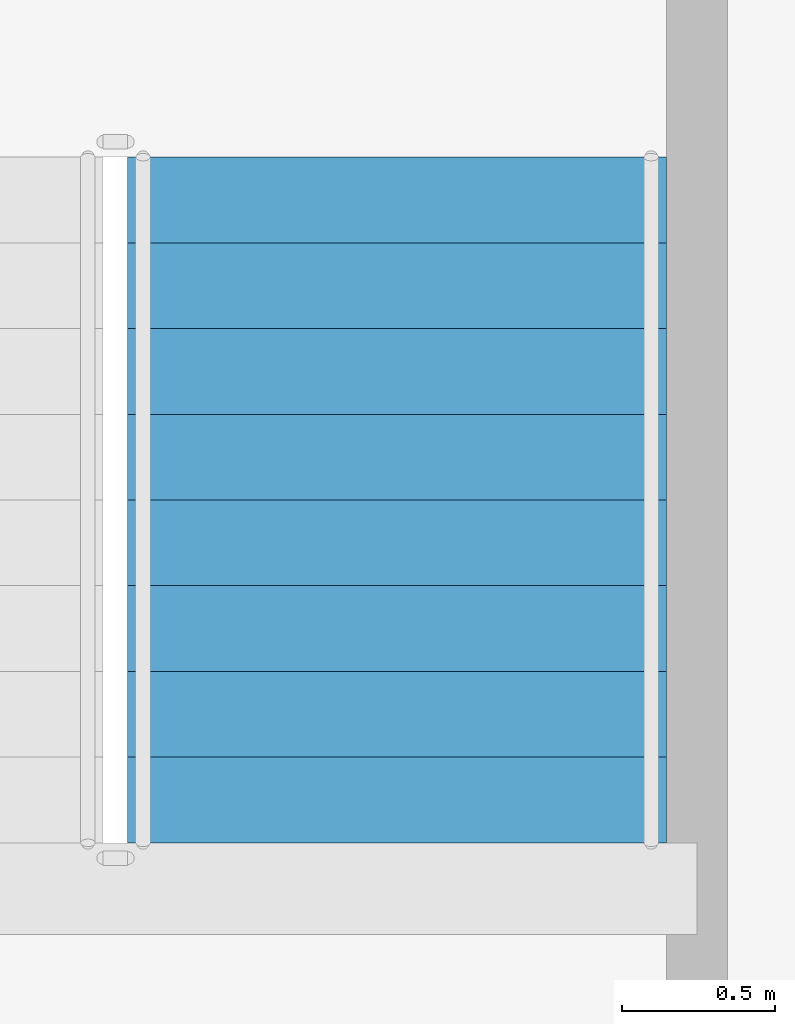
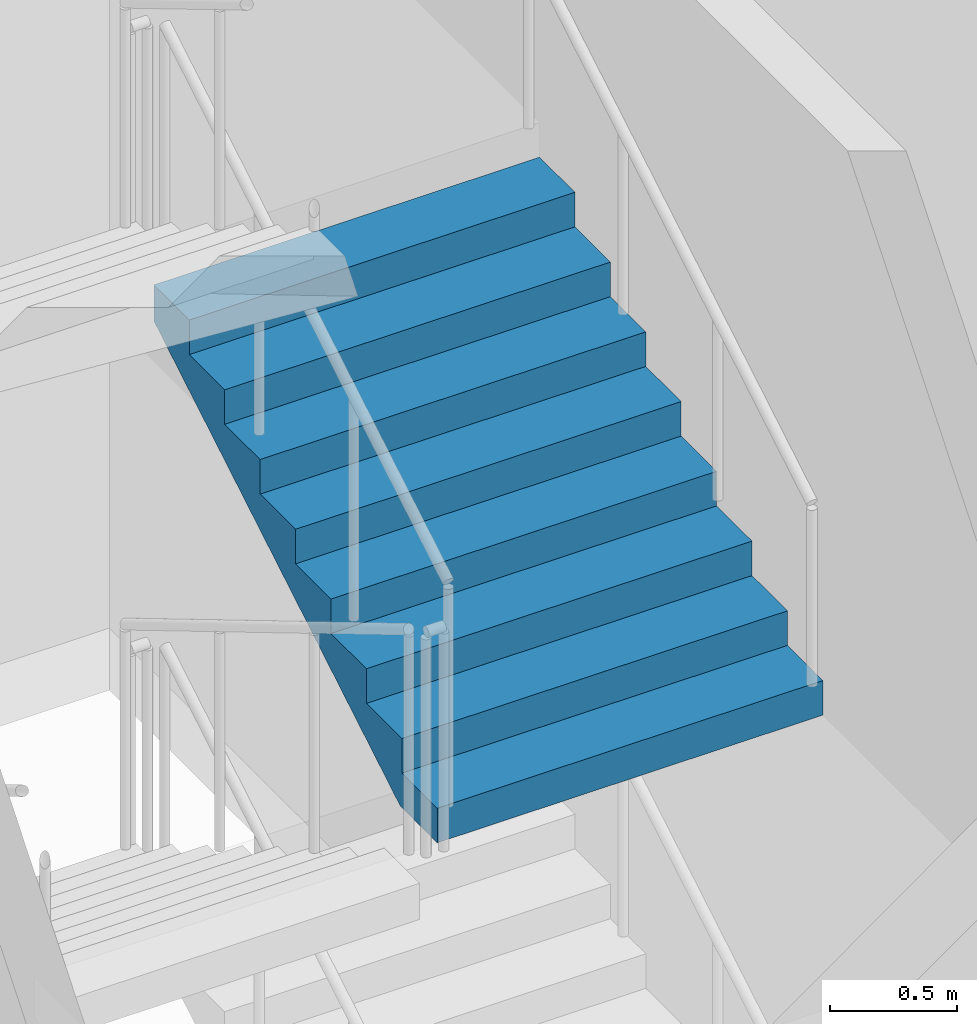
# One storey, part 30 of 36: 1 stair flight, 1 element without a shape of its own.
"""IFC4 building model written with IfcOpenShell, lengths in metres."""

import ifcopenshell
import ifcopenshell.guid

model = None  # the IFC model being written
_history = None  # IfcOwnerHistory: only IFC2X3 demands one
_inside = {}  # id of a spatial element -> (the spatial element, [elements in it])
_under = {}  # id of a project, library or spatial element -> (it, [spatial elements below it])
_declared = {}  # id of a project -> (the project, [libraries it declares])
_typed = {}  # id of a type object -> (the type object, [elements of that type])
_made_of = {}  # id of a material, layer set ... -> (it, [elements and type objects made of it])


def new_model(schema):
    """Start an empty IFC model of exactly this schema.

    Asked for "IFC4X3", IfcOpenShell would pick the latest addendum, in which some entities
    have other attributes; the version numbers below select the first issue.
    IFC2X3 requires an IfcOwnerHistory on every rooted entity: one is made here for all.
    """
    global model, _history
    if schema == "IFC4X3":
        model = ifcopenshell.file(schema_version=(4, 3, 0, 0))
    else:
        model = ifcopenshell.file(schema=schema)
    _inside.clear()
    _under.clear()
    _declared.clear()
    _typed.clear()
    _made_of.clear()
    _history = None
    if model.schema == "IFC2X3":
        org = make("IfcOrganization", Name="unknown")
        user = make(
            "IfcPersonAndOrganization",
            ThePerson=make("IfcPerson", FamilyName="unknown"),
            TheOrganization=org,
        )
        app = make(
            "IfcApplication",
            ApplicationDeveloper=org,
            Version="unknown",
            ApplicationFullName="unknown",
            ApplicationIdentifier="unknown",
        )
        _history = make(
            "IfcOwnerHistory",
            OwningUser=user,
            OwningApplication=app,
            ChangeAction="ADDED",
            CreationDate=0,
        )
    return model


def make(cls, **values):
    """One entity of the class cls with the attributes given. An attribute that is None is left unset."""
    return model.create_entity(
        cls, **{name: value for name, value in values.items() if value is not None}
    )


def rooted(cls, **values):
    """An entity with a GlobalId (a new one), such as an element, a storey or a relation."""
    return make(cls, GlobalId=ifcopenshell.guid.new(), OwnerHistory=_history, **values)


def si_unit(unit_type, name, prefix=None):
    """IfcSIUnit, for example si_unit("LENGTHUNIT", "METRE", prefix="MILLI")."""
    return make("IfcSIUnit", UnitType=unit_type, Prefix=prefix, Name=name)


def assignment(units):
    """IfcUnitAssignment: the units of a project."""
    return None if units is None else make("IfcUnitAssignment", Units=units)


def point(xyz):
    """IfcCartesianPoint."""
    return None if xyz is None else make("IfcCartesianPoint", Coordinates=xyz)


def direction(xyz):
    """IfcDirection."""
    return None if xyz is None else make("IfcDirection", DirectionRatios=xyz)


def frame(location, z_axis=None, x_axis=None):
    """IfcAxis2Placement3D, a coordinate frame: its origin and axes. An axis left out is left unset."""
    return make(
        "IfcAxis2Placement3D",
        Location=point(location),
        Axis=direction(z_axis),
        RefDirection=direction(x_axis),
    )


def origin():
    """The frame at (0, 0, 0) with its axes left unset."""
    return frame((0.0, 0.0, 0.0))


def place(relative_to, where):
    """IfcLocalPlacement: puts the frame where relative to a parent placement (None: the world)."""
    return make(
        "IfcLocalPlacement", PlacementRelTo=relative_to, RelativePlacement=where
    )


def context(
    kind, dimensions, precision=None, world=None, true_north=None, identifier=None
):
    """IfcGeometricRepresentationContext, for example the 3D "Model" context."""
    return make(
        "IfcGeometricRepresentationContext",
        ContextIdentifier=identifier,
        ContextType=kind,
        CoordinateSpaceDimension=dimensions,
        Precision=precision,
        WorldCoordinateSystem=world,
        TrueNorth=true_north,
    )


def subcontext(parent, identifier, kind, view, scale=None):
    """IfcGeometricRepresentationSubContext, for example "Body" below "Model"."""
    return make(
        "IfcGeometricRepresentationSubContext",
        ContextIdentifier=identifier,
        ContextType=kind,
        ParentContext=parent,
        TargetScale=scale,
        TargetView=view,
    )


def project(units=None, contexts=None):
    """IfcProject with its units and contexts."""
    return rooted(
        "IfcProject",
        Name="project",
        RepresentationContexts=contexts,
        UnitsInContext=assignment(units),
    )


def spatial(cls, under=None, at=None, **own):
    """A site, building, storey or space (cls), placed at a placement, below another one or the project."""
    s = rooted(cls, ObjectPlacement=at, **own)
    if under is not None:
        _under.setdefault(under.id(), (under, []))[1].append(s)
    return s


def faces_of(points, faces, orient=None, outer=None):
    """IfcFace entities. A face is a list of loops; a loop is a list of indices into points, from 0.

    orient and outer hold one flag for each loop. By default every Orientation is true, the
    first loop of a face is its IfcFaceOuterBound and the others are IfcFaceBound.
    """
    made = []
    for i, loops in enumerate(faces):
        bounds = []
        for j, loop in enumerate(loops):
            is_outer = j == 0 if outer is None else outer[i][j]
            bounds.append(
                make(
                    "IfcFaceOuterBound" if is_outer else "IfcFaceBound",
                    Bound=make("IfcPolyLoop", Polygon=[points[k] for k in loop]),
                    Orientation=True if orient is None else orient[i][j],
                )
            )
        made.append(make("IfcFace", Bounds=bounds))
    return made


def faceted_brep(points, faces, orient=None, outer=None, voids=None):
    """IfcFacetedBrep: a solid bounded by flat faces; with voids (closed shells), ...WithVoids."""
    shared = [point(p) for p in points]
    hull = make("IfcClosedShell", CfsFaces=faces_of(shared, faces, orient, outer))
    if voids is None:
        return make("IfcFacetedBrep", Outer=hull)
    return make(
        "IfcFacetedBrepWithVoids",
        Outer=hull,
        Voids=[
            make(cls, CfsFaces=faces_of(shared, fs, o, b)) for cls, fs, o, b in voids
        ],
    )


def shape(context_of_items, identifier, shape_type, items):
    """IfcShapeRepresentation: the items that make up one representation, for example the "Body"."""
    return make(
        "IfcShapeRepresentation",
        ContextOfItems=context_of_items,
        RepresentationIdentifier=identifier,
        RepresentationType=shape_type,
        Items=items,
    )


def material(Name=None, Category=None):
    """IfcMaterial."""
    return make("IfcMaterial", Name=Name, Category=Category)


def made_of(thing, what):
    """Note that an element or type object is made of a material, layer set ...; save() writes the relation."""
    if what is not None:
        _made_of.setdefault(what.id(), (what, []))[1].append(thing)
    return thing


def type_object(cls, material=None, **own):
    """A type object (cls), such as IfcWallType, which elements share."""
    return made_of(rooted(cls, **own), material)


def element(
    cls,
    number,
    at=None,
    inside=None,
    cuts=None,
    type_object=None,
    material=None,
    context=None,
    identifier="Body",
    shape_type=None,
    held_by="IfcProductDefinitionShape",
    body=None,
    shapes=None,
    **own,
):
    """One element of the class cls, such as IfcWall. Its Tag is "e" and its number.

    at: its placement. inside: the storey or other place that contains it. cuts: it is an
    opening in that element (IfcRelVoidsElement). A single representation is given by context,
    identifier, shape_type and body (its items); several are given by shapes. held_by: the class
    of the entity that holds the representations. save() writes the other relations.
    """
    e = rooted(cls, Tag="e%d" % number, ObjectPlacement=at, **own)
    if body is not None:
        shapes = [shape(context, identifier, shape_type, body)]
    if shapes is not None:
        e.Representation = make(held_by, Representations=shapes)
    if inside is not None:
        _inside.setdefault(inside.id(), (inside, []))[1].append(e)
    if cuts is not None:
        rooted(
            "IfcRelVoidsElement", RelatingBuildingElement=cuts, RelatedOpeningElement=e
        )
    if type_object is not None:
        _typed.setdefault(type_object.id(), (type_object, []))[1].append(e)
    return made_of(e, material)


def aggregate(whole, parts):
    """IfcRelAggregates: a whole, such as a stair, and the parts it consists of."""
    return rooted("IfcRelAggregates", RelatingObject=whole, RelatedObjects=parts)


def save(model, path):
    """Write the relations noted so far, then the file.

    IfcRelAggregates (storeys below a building ...), IfcRelContainedInSpatialStructure (elements
    in a storey), IfcRelDefinesByType, IfcRelAssociatesMaterial and IfcRelDeclares: one each for
    every whole, place, type object, material and project.
    """
    for whole, parts in _under.values():
        aggregate(whole, parts)
    for where, things in _inside.values():
        rooted(
            "IfcRelContainedInSpatialStructure",
            RelatedElements=things,
            RelatingStructure=where,
        )
    for kind, things in _typed.values():
        rooted("IfcRelDefinesByType", RelatedObjects=things, RelatingType=kind)
    for what, things in _made_of.values():
        rooted("IfcRelAssociatesMaterial", RelatedObjects=things, RelatingMaterial=what)
    for by, libraries in _declared.values():
        rooted("IfcRelDeclares", RelatingContext=by, RelatedDefinitions=libraries)
    model.write(path)


model = new_model("IFC4")

# Units and contexts
model_context = context("Model", 3, precision=1e-05, world=origin(), true_north=direction((0.0, 1.0)))
body_context = subcontext(model_context, "Body", "Model", "MODEL_VIEW")
ifc_project = project(units=[si_unit("LENGTHUNIT", "METRE"), si_unit("AREAUNIT", "SQUARE_METRE"), si_unit("VOLUMEUNIT", "CUBIC_METRE"), si_unit("PLANEANGLEUNIT", "RADIAN"), si_unit("MASSUNIT", "GRAM", prefix="KILO")], contexts=[model_context])

# Site, building, storey
site_placement = place(None, origin())
site = spatial("IfcSite", under=ifc_project, at=site_placement, CompositionType="ELEMENT")
building_placement = place(site_placement, origin())
building = spatial("IfcBuilding", under=site, at=building_placement, Name="Tarsis Ring Headquarters", CompositionType="ELEMENT")
storey_placement = place(building_placement, frame((0.0, 0.0, 194.39990234375)))
storey = spatial("IfcBuildingStorey", under=building, at=storey_placement, Name="L45", CompositionType="ELEMENT", Elevation=194.39990234375)

# Stair, stair flight
ifc_material_1 = material(Name="Core stair 1760")
stair_type = type_object("IfcStairType", Name="Core stair 1760", PredefinedType="HALF_TURN_STAIR", material=ifc_material_1)
stair_placement = place(storey_placement, origin())
stair = element("IfcStair", 1, at=stair_placement, inside=storey, type_object=stair_type, Name="L45 Exit stair B", PredefinedType="HALF_TURN_STAIR")
ifc_material_2 = material(Name="Concrete C40/50", Category="concrete")
stair_flight_type = type_object("IfcStairFlightType", Name="Core stair flight 1760", PredefinedType="STRAIGHT", material=ifc_material_2)
stair_flight_placement = place(storey_placement, frame((5.419921875, 3.659912109375, 3.0), z_axis=(0.0, 0.0, 1.0), x_axis=(0.0, 1.0, 0.0)))
stair_flight = element("IfcStairFlight", 2, at=stair_flight_placement, type_object=stair_flight_type, Name="Stair ST2 flight 3", NumberOfRisers=9, NumberOfTreads=8, PredefinedType="STRAIGHT", RiserHeight=0.166666667, TreadLength=0.28, context=body_context, shape_type="Brep", body=[
    faceted_brep([(0.0, 0.8798828125, 0.0), (0.0, 0.8798828125, 0.166748046875), (0.280029296875, 0.8798828125, 0.166748046875), (0.280029296875, 0.8798828125, 0.333251953125), (0.56005859375, 0.8798828125, 0.333251953125), (0.56005859375, 0.8798828125, 0.5), (0.840087890625, 0.8798828125, 0.5), (0.840087890625, 0.8798828125, 0.666748046875), (1.1201171875, 0.8798828125, 0.666748046875), (1.1201171875, 0.8798828125, 0.833251953125), (1.39990234375, 0.8798828125, 0.833251953125), (1.39990234375, 0.8798828125, 1.0), (1.679931640625, 0.8798828125, 1.0), (1.679931640625, 0.8798828125, 1.166748046875), (1.9599609375, 0.8798828125, 1.166748046875), (1.9599609375, 0.8798828125, 1.333251953125), (2.239990234375, 0.8798828125, 1.333251953125), (2.239990234375, 0.8798828125, 1.158935546875), (0.29296875, 0.8798828125, 0.0), (0.29296875, -0.8798828125, 0.0), (2.239990234375, -0.8798828125, 1.158935546875), (2.239990234375, -0.8798828125, 1.333251953125), (1.9599609375, -0.8798828125, 1.333251953125), (1.9599609375, -0.8798828125, 1.166748046875), (1.679931640625, -0.8798828125, 1.166748046875), (1.679931640625, -0.8798828125, 1.0), (1.39990234375, -0.8798828125, 1.0), (1.39990234375, -0.8798828125, 0.833251953125), (1.1201171875, -0.8798828125, 0.833251953125), (1.1201171875, -0.8798828125, 0.666748046875), (0.840087890625, -0.8798828125, 0.666748046875), (0.840087890625, -0.8798828125, 0.5), (0.56005859375, -0.8798828125, 0.5), (0.56005859375, -0.8798828125, 0.333251953125), (0.280029296875, -0.8798828125, 0.333251953125), (0.280029296875, -0.8798828125, 0.166748046875), (0.0, -0.8798828125, 0.166748046875), (0.0, -0.8798828125, 0.0), (0.0, -0.43994140625, 0.166748046875), (0.0, -0.43994140625, 0.0), (0.0, 0.0, 0.166748046875), (0.0, 0.0, 0.0), (0.0, 0.43994140625, 0.166748046875), (0.0, 0.43994140625, 0.0), (0.280029296875, -0.43994140625, 0.166748046875), (0.280029296875, 0.0, 0.166748046875), (0.280029296875, 0.43994140625, 0.166748046875), (0.280029296875, -0.43994140625, 0.333251953125), (0.280029296875, 0.0, 0.333251953125), (0.280029296875, 0.43994140625, 0.333251953125), (0.56005859375, -0.43994140625, 0.333251953125), (0.56005859375, 0.0, 0.333251953125), (0.56005859375, 0.43994140625, 0.333251953125), (0.56005859375, -0.43994140625, 0.5), (0.56005859375, 0.0, 0.5), (0.56005859375, 0.43994140625, 0.5), (0.840087890625, -0.43994140625, 0.5), (0.840087890625, 0.0, 0.5), (0.840087890625, 0.43994140625, 0.5), (0.840087890625, -0.43994140625, 0.666748046875), (0.840087890625, 0.0, 0.666748046875), (0.840087890625, 0.43994140625, 0.666748046875), (1.1201171875, -0.43994140625, 0.666748046875), (1.1201171875, 0.0, 0.666748046875), (1.1201171875, 0.43994140625, 0.666748046875), (1.1201171875, -0.43994140625, 0.833251953125), (1.1201171875, 0.0, 0.833251953125), (1.1201171875, 0.43994140625, 0.833251953125), (1.39990234375, -0.43994140625, 0.833251953125), (1.39990234375, 0.0, 0.833251953125), (1.39990234375, 0.43994140625, 0.833251953125), (1.39990234375, -0.43994140625, 1.0), (1.39990234375, 0.0, 1.0), (1.39990234375, 0.43994140625, 1.0), (1.679931640625, -0.43994140625, 1.0), (1.679931640625, 0.0, 1.0), (1.679931640625, 0.43994140625, 1.0), (1.679931640625, -0.43994140625, 1.166748046875), (1.679931640625, 0.0, 1.166748046875), (1.679931640625, 0.43994140625, 1.166748046875), (1.9599609375, -0.43994140625, 1.166748046875), (1.9599609375, 0.0, 1.166748046875), (1.9599609375, 0.43994140625, 1.166748046875), (1.9599609375, -0.43994140625, 1.333251953125), (1.9599609375, 0.0, 1.333251953125), (1.9599609375, 0.43994140625, 1.333251953125), (2.239990234375, -0.43994140625, 1.333251953125), (2.239990234375, 0.0, 1.333251953125), (2.239990234375, 0.43994140625, 1.333251953125), (2.239990234375, -0.43994140625, 1.158935546875), (2.239990234375, 0.0, 1.158935546875), (2.239990234375, 0.43994140625, 1.158935546875), (0.29296875, -0.43994140625, 0.0), (0.29296875, 0.0, 0.0), (0.29296875, 0.43994140625, 0.0)], [[[0, 1, 2, 3, 4, 5, 6, 7, 8, 9, 10, 11, 12, 13, 14, 15, 16, 17, 18]], [[19, 20, 21, 22, 23, 24, 25, 26, 27, 28, 29, 30, 31, 32, 33, 34, 35, 36, 37]], [[37, 36, 38, 39]], [[39, 38, 40, 41]], [[41, 40, 42, 43]], [[43, 42, 1, 0]], [[36, 35, 44, 38]], [[38, 44, 45, 40]], [[40, 45, 46, 42]], [[42, 46, 2, 1]], [[35, 34, 47, 44]], [[44, 47, 48, 45]], [[45, 48, 49, 46]], [[46, 49, 3, 2]], [[34, 33, 50, 47]], [[47, 50, 51, 48]], [[48, 51, 52, 49]], [[49, 52, 4, 3]], [[33, 32, 53, 50]], [[50, 53, 54, 51]], [[51, 54, 55, 52]], [[52, 55, 5, 4]], [[32, 31, 56, 53]], [[53, 56, 57, 54]], [[54, 57, 58, 55]], [[55, 58, 6, 5]], [[31, 30, 59, 56]], [[56, 59, 60, 57]], [[57, 60, 61, 58]], [[58, 61, 7, 6]], [[30, 29, 62, 59]], [[59, 62, 63, 60]], [[60, 63, 64, 61]], [[61, 64, 8, 7]], [[29, 28, 65, 62]], [[62, 65, 66, 63]], [[63, 66, 67, 64]], [[64, 67, 9, 8]], [[28, 27, 68, 65]], [[65, 68, 69, 66]], [[66, 69, 70, 67]], [[67, 70, 10, 9]], [[27, 26, 71, 68]], [[68, 71, 72, 69]], [[69, 72, 73, 70]], [[70, 73, 11, 10]], [[26, 25, 74, 71]], [[71, 74, 75, 72]], [[72, 75, 76, 73]], [[73, 76, 12, 11]], [[25, 24, 77, 74]], [[74, 77, 78, 75]], [[75, 78, 79, 76]], [[76, 79, 13, 12]], [[24, 23, 80, 77]], [[77, 80, 81, 78]], [[78, 81, 82, 79]], [[79, 82, 14, 13]], [[23, 22, 83, 80]], [[80, 83, 84, 81]], [[81, 84, 85, 82]], [[82, 85, 15, 14]], [[22, 21, 86, 83]], [[83, 86, 87, 84]], [[84, 87, 88, 85]], [[85, 88, 16, 15]], [[21, 20, 89, 86]], [[86, 89, 90, 87]], [[87, 90, 91, 88]], [[88, 91, 17, 16]], [[20, 19, 92, 89]], [[89, 92, 93, 90]], [[90, 93, 94, 91]], [[91, 94, 18, 17]], [[19, 37, 39, 92]], [[92, 39, 41, 93]], [[93, 41, 43, 94]], [[94, 43, 0, 18]]]),
])
aggregate(stair, [stair_flight])

save(model, "model.ifc")
